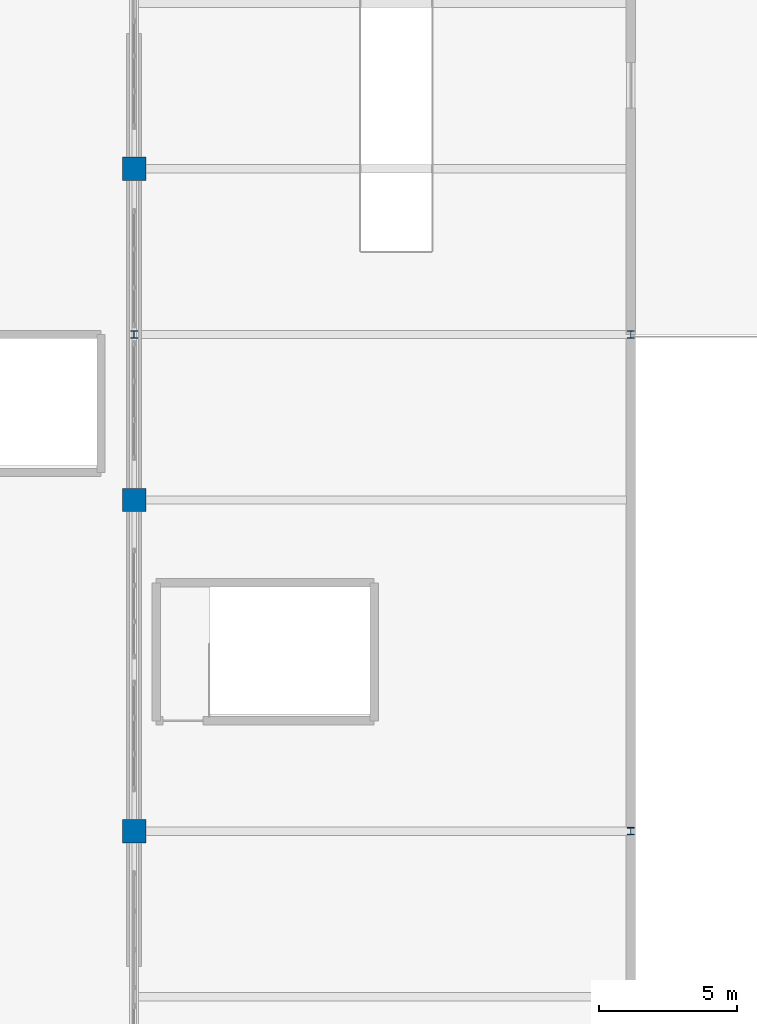
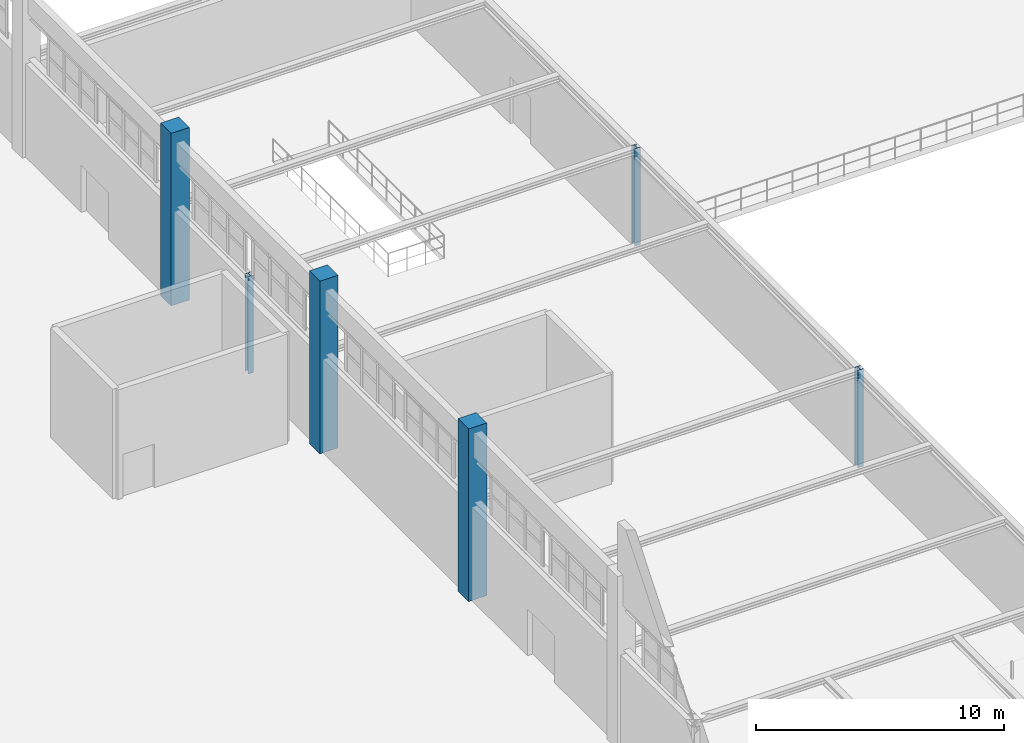
# One storey, part 10 of 97: 6 columns.
"""IFC4 building model written with IfcOpenShell, lengths in metres."""

from ifc_helpers import new_model, si_unit, derived_unit, direction, frame, origin, origin_2d, place, context, subcontext, project, spatial, rectangle, i_section, extrude, material, material_profile, profile_set, type_object, element, save


model = new_model("IFC4")

# Units and contexts
model_context = context("Model", 3, precision=1e-05, world=origin(), true_north=direction((0.0, 1.0)))
body_context = subcontext(model_context, "Body", "Model", "MODEL_VIEW")
ifc_project = project(units=[si_unit("LENGTHUNIT", "METRE"), si_unit("AREAUNIT", "SQUARE_METRE"), si_unit("VOLUMEUNIT", "CUBIC_METRE"), si_unit("PLANEANGLEUNIT", "RADIAN"), si_unit("MASSUNIT", "GRAM", prefix="KILO"), derived_unit("THERMALTRANSMITTANCEUNIT", [(si_unit("POWERUNIT", "WATT"), 1), (si_unit("LENGTHUNIT", "METRE"), -2), (si_unit("THERMODYNAMICTEMPERATUREUNIT", "KELVIN"), -1)])], contexts=[model_context])

# Site, building, storey
site_placement = place(None, origin())
site = spatial("IfcSite", under=ifc_project, at=site_placement, CompositionType="ELEMENT")
building_placement = place(site_placement, origin())
building = spatial("IfcBuilding", under=site, at=building_placement, Name="Almenara Railside Exhibition Hall", CompositionType="ELEMENT")
storey_placement = place(building_placement, frame((0.0, 0.0, 10.800048828125)))
storey = spatial("IfcBuildingStorey", under=building, at=storey_placement, Name="L02", CompositionType="ELEMENT", Elevation=10.800048828125)

# Columns
ifc_material_1 = material(Name="Concrete C40/50", Category="concrete")
ifc_material_profile_1 = material_profile(ifc_material_1, rectangle(XDim=0.85009765625, YDim=0.85009765625, at=origin_2d()), Name="RC 850x850")
ifc_profile_set_1 = profile_set([ifc_material_profile_1], Name="Concrete C40/50")
column_type_1 = type_object("IfcColumnType", Name="RC Column 850x850 C40/50", PredefinedType="COLUMN", material=ifc_profile_set_1)
for number, where, z_axis, x_axis, name in (
    (1, (66.0, 72.0, 0.0), (0.0, 0.0, 1.0), (1.0, 0.0, 0.0), "Column 0028"),
    (2, (66.0, 84.0, 0.0), (0.0, 0.0, 1.0), (1.0, 0.0, 0.0), "Column 0038"),
    (3, (66.0, 96.0, 0.0), (0.0, 0.0, 1.0), (1.0, 0.0, 0.0), "Column 0048"),
):
    element("IfcColumn", number, at=place(storey_placement, frame(where, z_axis=z_axis, x_axis=x_axis)), inside=storey, type_object=column_type_1, Name=name, PredefinedType="COLUMN", context=body_context, shape_type="SweptSolid", body=[
        extrude(rectangle(XDim=0.85009765625, YDim=0.85009765625, at=origin_2d()), origin(), (0.0, 0.0, 1.0), 8.5),
    ])
ifc_material_2 = material(Name="Structural steel S355JR", Category="steel")
ifc_material_profile_2 = material_profile(ifc_material_2, i_section(OverallWidth=0.2587890625, OverallDepth=0.2666015625, WebThickness=0.0126953125, FlangeThickness=0.0205078125, FilletRadius=0.0126953125, at=origin_2d()), Name="UC 254x254x107")
ifc_profile_set_2 = profile_set([ifc_material_profile_2], Name="Structural steel S355JR")
column_type_2 = type_object("IfcColumnType", Name="Steel Column UC 254x254x107 S355JR", PredefinedType="COLUMN", material=ifc_profile_set_2)
for number, where, z_axis, x_axis, name in (
    (4, (84.0, 72.0, 0.0), (0.0, 0.0, 1.0), (1.0, 0.0, 0.0), "Column 0210"),
    (5, (84.0, 90.0, 0.0), (0.0, 0.0, 1.0), (1.0, 0.0, 0.0), "Column 0213"),
):
    element("IfcColumn", number, at=place(storey_placement, frame(where, z_axis=z_axis, x_axis=x_axis)), inside=storey, type_object=column_type_2, Name=name, PredefinedType="COLUMN", context=body_context, shape_type="SweptSolid", body=[
        extrude(i_section(OverallWidth=0.2587890625, OverallDepth=0.2666015625, WebThickness=0.0126953125, FlangeThickness=0.0205078125, FilletRadius=0.0126953125, at=origin_2d()), origin(), (0.0, 0.0, 1.0), 4.800048828125),
    ])
ifc_material_profile_3 = material_profile(ifc_material_2, i_section(OverallWidth=0.25634765625, OverallDepth=0.26025390625, WebThickness=0.01025390625, FlangeThickness=0.017333984375, FilletRadius=0.0126953125, at=origin_2d()), Name="UC 254x254x89")
ifc_profile_set_3 = profile_set([ifc_material_profile_3], Name="Structural steel S355JR")
column_type_3 = type_object("IfcColumnType", Name="Steel Column UC 254x254x89 S355JR", PredefinedType="COLUMN", material=ifc_profile_set_3)
column_placement = place(storey_placement, frame((66.0, 90.0, 0.0), z_axis=(0.0, 0.0, 1.0), x_axis=(1.0, 0.0, 0.0)))
element("IfcColumn", 6, at=column_placement, inside=storey, type_object=column_type_3, Name="Column 0201", PredefinedType="COLUMN", context=body_context, shape_type="SweptSolid", body=[
    extrude(i_section(OverallWidth=0.25634765625, OverallDepth=0.26025390625, WebThickness=0.01025390625, FlangeThickness=0.017333984375, FilletRadius=0.0126953125, at=origin_2d()), origin(), (0.0, 0.0, 1.0), 4.800048828125),
])

save(model, "model.ifc")
